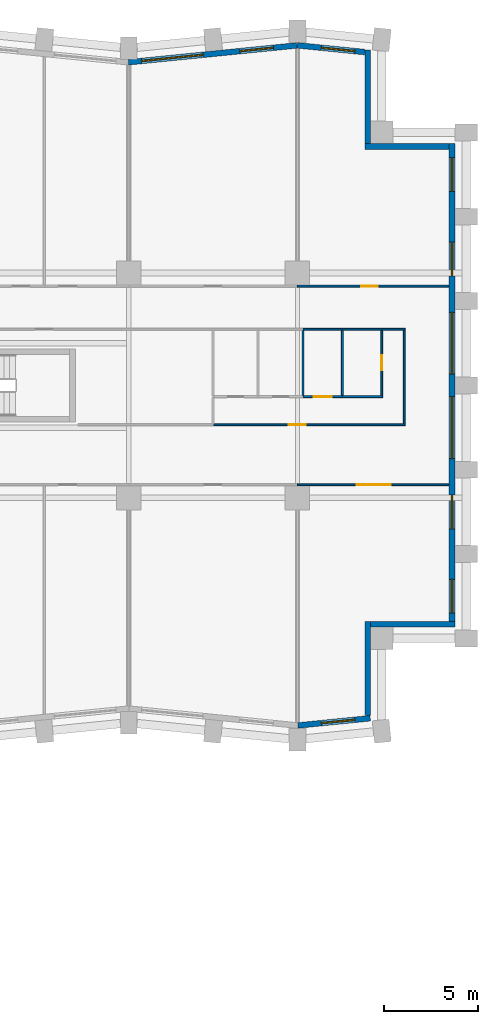
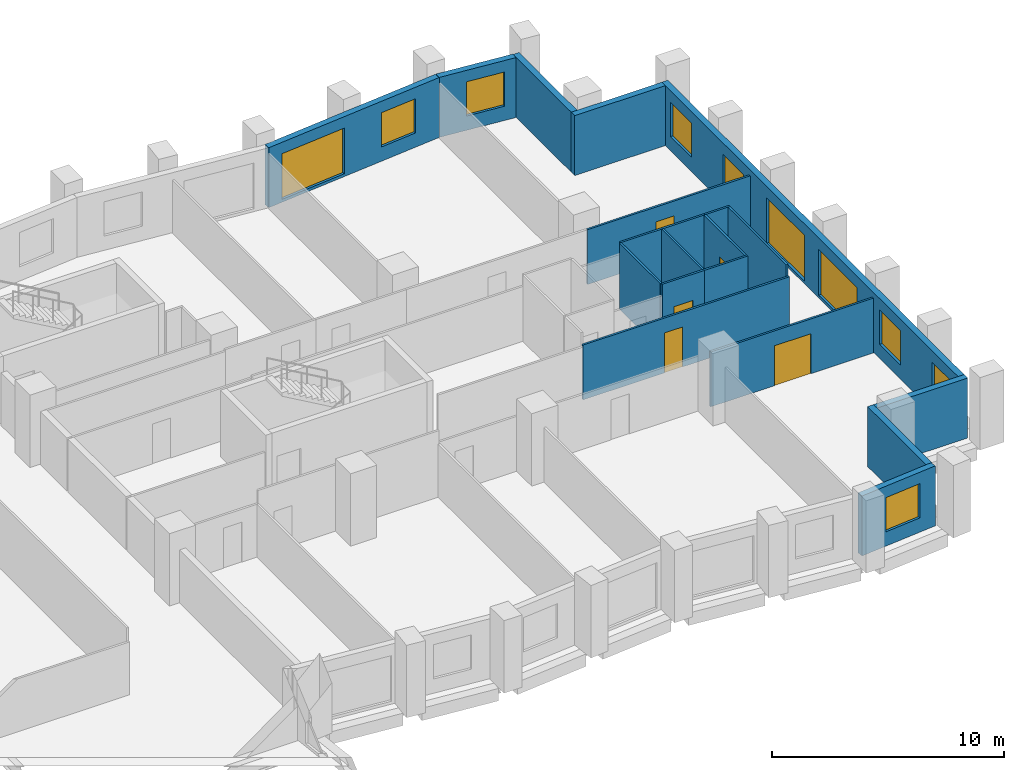
# One storey, part 8 of 11: 20 walls, 10 windows, 5 doors, 15 openings.
"""IFC4 building model written with IfcOpenShell, lengths in metres."""

from ifc_helpers import new_model, si_unit, direction, frame, frame_2d, origin, place, context, subcontext, project, spatial, rectangle, extrude, material, layer, layer_set, type_object, element, fill, save


model = new_model("IFC4")

# Units and contexts
model_context = context("Model", 3, precision=1e-05, world=origin(), true_north=direction((0.0, 1.0)))
body_context = subcontext(model_context, "Body", "Model", "MODEL_VIEW")
ifc_project = project(units=[si_unit("LENGTHUNIT", "METRE"), si_unit("AREAUNIT", "SQUARE_METRE"), si_unit("VOLUMEUNIT", "CUBIC_METRE"), si_unit("PLANEANGLEUNIT", "RADIAN"), si_unit("MASSUNIT", "GRAM", prefix="KILO")], contexts=[model_context])

# Site, building, storey
site_placement = place(None, origin())
site = spatial("IfcSite", under=ifc_project, at=site_placement, CompositionType="ELEMENT")
building_placement = place(site_placement, origin())
building = spatial("IfcBuilding", under=site, at=building_placement, Name="Brondeck Convention Tower", CompositionType="ELEMENT")
storey_placement = place(building_placement, frame((0.0, 0.0, 126.5)))
storey = spatial("IfcBuildingStorey", under=building, at=storey_placement, Name="L30", CompositionType="ELEMENT", Elevation=126.5)

# Wall, opening, window
ifc_material_1 = material(Name="Precast concrete C50/60 bronze finish", Category="concrete")
ifc_layer_1 = layer(ifc_material_1, 0.070068359375, Name="Bronze precast facing")
ifc_material_2 = material(Name="Mineral wool")
ifc_layer_2 = layer(ifc_material_2, 0.159912109375, Name="Insulation")
ifc_material_3 = material(Name="Concrete C35/45", Category="concrete")
ifc_layer_3 = layer(ifc_material_3, 0.070068359375, Name="Backing")
ifc_layer_set_1 = layer_set([ifc_layer_1, ifc_layer_2, ifc_layer_3], Name="External infill wall, precast concrete C50/60 bronze facing")
wall_type_1 = type_object("IfcWallType", Name="External infill wall, precast concrete C50/60 bronze facing", PredefinedType="SOLIDWALL", material=ifc_layer_set_1)
wall_1_placement = place(storey_placement, frame((66.885009765625, 27.2421875, 0.0), z_axis=(0.0, 0.0, 1.0), x_axis=(-0.995037814081, -0.099497480111, 0.0)))
wall_1 = element("IfcWall", 1, at=wall_1_placement, inside=storey, type_object=wall_type_1, Name="ENV-EW-L30-P0-A-S-06", PredefinedType="SOLIDWALL", context=body_context, shape_type="SweptSolid", body=[
    extrude(rectangle(XDim=3.87451171875, YDim=0.300048828125, at=frame_2d((1.937255859375, 0.0))), origin(), (0.0, 0.0, 1.0), 3.14990234375),
])
opening_1_placement = place(wall_1_placement, frame((0.818359375, 0.0, 0.75)))
opening_1 = element("IfcOpeningElement", 2, at=opening_1_placement, cuts=wall_1, Name="Opening W10", PredefinedType="OPENING", context=body_context, shape_type="SweptSolid", body=[
    extrude(rectangle(XDim=1.800048828125, YDim=1.800048828125, at=frame_2d((0.89990234375, 0.89990234375))), frame((0.0, 0.159912109375, 0.0), z_axis=(0.0, -1.0, 0.0), x_axis=(1.0, 0.0, 0.0)), (0.0, 0.0, 1.0), 0.320068359375),
])
ifc_material_4 = material(Name="Bronze tinted double glazing", Category="glass")
window_type_1 = type_object("IfcWindowType", Name="Punched window, bronze tinted", PartitioningType="SINGLE_PANEL", PredefinedType="WINDOW", material=ifc_material_4)
window_1_placement = place(opening_1_placement, origin())
window_1 = element("IfcWindow", 3, at=window_1_placement, inside=storey, type_object=window_type_1, Name="ENV-WN-L30-P0-A-S-06", OverallHeight=1.800048828125, OverallWidth=1.800048828125, PartitioningType="SINGLE_PANEL", PredefinedType="WINDOW", context=body_context, shape_type="SweptSolid", body=[
    extrude(rectangle(XDim=1.800048828125, YDim=1.800048828125, at=frame_2d((0.89990234375, 0.89990234375))), frame((0.0, 0.030029296875, 0.0), z_axis=(0.0, -1.0, 0.0), x_axis=(1.0, 0.0, 0.0)), (0.0, 0.0, 1.0), 0.06005859375),
])
fill(opening_1, window_1)

# Walls
wall_2_placement = place(storey_placement, frame((66.75, 32.39990234375, 0.0), z_axis=(0.0, 0.0, 1.0), x_axis=(0.0, -1.0, 0.0)))
element("IfcWall", 4, at=wall_2_placement, inside=storey, type_object=wall_type_1, Name="ENV-EW-L30-P0-NC-SEA72-01", PredefinedType="SOLIDWALL", context=body_context, shape_type="SweptSolid", body=[
    extrude(rectangle(XDim=5.019287109375, YDim=0.300048828125, at=frame_2d((2.509765625, 0.0))), origin(), (0.0, 0.0, 1.0), 3.14990234375),
])
wall_3_placement = place(storey_placement, frame((71.39990234375, 32.25, 0.0), z_axis=(0.0, 0.0, 1.0), x_axis=(-1.0, 0.0, 0.0)))
element("IfcWall", 5, at=wall_3_placement, inside=storey, type_object=wall_type_1, Name="ENV-EW-L30-P0-NC-SEA72-02", PredefinedType="SOLIDWALL", context=body_context, shape_type="SweptSolid", body=[
    extrude(rectangle(XDim=4.5, YDim=0.300048828125, at=frame_2d((2.25, 0.0))), origin(), (0.0, 0.0, 1.0), 3.14990234375),
])

# Wall, openings, windows
wall_4_placement = place(storey_placement, frame((71.25, 57.89990234375, 0.0), z_axis=(0.0, 0.0, 1.0), x_axis=(0.0, -1.0, 0.0)))
wall_4 = element("IfcWall", 6, at=wall_4_placement, inside=storey, type_object=wall_type_1, Name="ENV-EW-L30-P0-A-E72-01", PredefinedType="SOLIDWALL", context=body_context, shape_type="SweptSolid", body=[
    extrude(rectangle(XDim=25.501953125, YDim=0.300048828125, at=frame_2d((12.7509765625, 0.0))), origin(), (0.0, 0.0, 1.0), 3.14990234375),
])
opening_2_placement = place(wall_4_placement, frame((0.75, 0.0, 0.75)))
opening_2 = element("IfcOpeningElement", 7, at=opening_2_placement, cuts=wall_4, Name="Opening W10", PredefinedType="OPENING", context=body_context, shape_type="SweptSolid", body=[
    extrude(rectangle(XDim=1.800048828125, YDim=1.800048828125, at=frame_2d((0.89990234375, 0.89990234375))), frame((0.0, 0.159912109375, 0.0), z_axis=(0.0, -1.0, 0.0), x_axis=(1.0, 0.0, 0.0)), (0.0, 0.0, 1.0), 0.320068359375),
])
opening_3_placement = place(wall_4_placement, frame((5.25, 0.0, 0.75)))
opening_3 = element("IfcOpeningElement", 8, at=opening_3_placement, cuts=wall_4, Name="Opening W10", PredefinedType="OPENING", context=body_context, shape_type="SweptSolid", body=[
    extrude(rectangle(XDim=1.800048828125, YDim=1.800048828125, at=frame_2d((0.89990234375, 0.89990234375))), frame((0.0, 0.159912109375, 0.0), z_axis=(0.0, -1.0, 0.0), x_axis=(1.0, 0.0, 0.0)), (0.0, 0.0, 1.0), 0.320068359375),
])
opening_4_placement = place(wall_4_placement, frame((9.0, 0.0, 0.14990234375)))
opening_4 = element("IfcOpeningElement", 9, at=opening_4_placement, cuts=wall_4, Name="Opening W9", PredefinedType="OPENING", context=body_context, shape_type="SweptSolid", body=[
    extrude(rectangle(XDim=3.300048828125, YDim=2.39990234375, at=frame_2d((1.64990234375, 1.199951171875))), frame((0.0, 0.159912109375, 0.0), z_axis=(0.0, -1.0, 0.0), x_axis=(1.0, 0.0, 0.0)), (0.0, 0.0, 1.0), 0.320068359375),
])
opening_5_placement = place(wall_4_placement, frame((13.5, 0.0, 0.14990234375)))
opening_5 = element("IfcOpeningElement", 10, at=opening_5_placement, cuts=wall_4, Name="Opening W9", PredefinedType="OPENING", context=body_context, shape_type="SweptSolid", body=[
    extrude(rectangle(XDim=3.300048828125, YDim=2.39990234375, at=frame_2d((1.64990234375, 1.199951171875))), frame((0.0, 0.159912109375, 0.0), z_axis=(0.0, -1.0, 0.0), x_axis=(1.0, 0.0, 0.0)), (0.0, 0.0, 1.0), 0.320068359375),
])
opening_6_placement = place(wall_4_placement, frame((18.75, 0.0, 0.75)))
opening_6 = element("IfcOpeningElement", 11, at=opening_6_placement, cuts=wall_4, Name="Opening W10", PredefinedType="OPENING", context=body_context, shape_type="SweptSolid", body=[
    extrude(rectangle(XDim=1.800048828125, YDim=1.800048828125, at=frame_2d((0.89990234375, 0.89990234375))), frame((0.0, 0.159912109375, 0.0), z_axis=(0.0, -1.0, 0.0), x_axis=(1.0, 0.0, 0.0)), (0.0, 0.0, 1.0), 0.320068359375),
])
opening_7_placement = place(wall_4_placement, frame((23.25, 0.0, 0.75)))
opening_7 = element("IfcOpeningElement", 12, at=opening_7_placement, cuts=wall_4, Name="Opening W10", PredefinedType="OPENING", context=body_context, shape_type="SweptSolid", body=[
    extrude(rectangle(XDim=1.800048828125, YDim=1.800048828125, at=frame_2d((0.89990234375, 0.89990234375))), frame((0.0, 0.159912109375, 0.0), z_axis=(0.0, -1.0, 0.0), x_axis=(1.0, 0.0, 0.0)), (0.0, 0.0, 1.0), 0.320068359375),
])
window_type_2 = type_object("IfcWindowType", Name="Glazed flute window, bronze tinted", PartitioningType="SINGLE_PANEL", PredefinedType="WINDOW", material=ifc_material_4)
window_2_placement = place(opening_4_placement, origin())
window_2 = element("IfcWindow", 13, at=window_2_placement, inside=storey, type_object=window_type_2, Name="ENV-WN-L30-P0-A-E72-04", OverallHeight=2.39990234375, OverallWidth=3.300048828125, PartitioningType="SINGLE_PANEL", PredefinedType="WINDOW", context=body_context, shape_type="SweptSolid", body=[
    extrude(rectangle(XDim=3.300048828125, YDim=2.39990234375, at=frame_2d((1.64990234375, 1.199951171875))), frame((0.0, 0.030029296875, 0.0), z_axis=(0.0, -1.0, 0.0), x_axis=(1.0, 0.0, 0.0)), (0.0, 0.0, 1.0), 0.06005859375),
])
fill(opening_4, window_2)
window_3_placement = place(opening_5_placement, origin())
window_3 = element("IfcWindow", 14, at=window_3_placement, inside=storey, type_object=window_type_2, Name="ENV-WN-L30-P0-A-E72-03", OverallHeight=2.39990234375, OverallWidth=3.300048828125, PartitioningType="SINGLE_PANEL", PredefinedType="WINDOW", context=body_context, shape_type="SweptSolid", body=[
    extrude(rectangle(XDim=3.300048828125, YDim=2.39990234375, at=frame_2d((1.64990234375, 1.199951171875))), frame((0.0, 0.030029296875, 0.0), z_axis=(0.0, -1.0, 0.0), x_axis=(1.0, 0.0, 0.0)), (0.0, 0.0, 1.0), 0.06005859375),
])
fill(opening_5, window_3)
window_4_placement = place(opening_2_placement, origin())
window_4 = element("IfcWindow", 15, at=window_4_placement, inside=storey, type_object=window_type_1, Name="ENV-WN-L30-P0-A-E72-06", OverallHeight=1.800048828125, OverallWidth=1.800048828125, PartitioningType="SINGLE_PANEL", PredefinedType="WINDOW", context=body_context, shape_type="SweptSolid", body=[
    extrude(rectangle(XDim=1.800048828125, YDim=1.800048828125, at=frame_2d((0.89990234375, 0.89990234375))), frame((0.0, 0.030029296875, 0.0), z_axis=(0.0, -1.0, 0.0), x_axis=(1.0, 0.0, 0.0)), (0.0, 0.0, 1.0), 0.06005859375),
])
fill(opening_2, window_4)
window_5_placement = place(opening_3_placement, origin())
window_5 = element("IfcWindow", 16, at=window_5_placement, inside=storey, type_object=window_type_1, Name="ENV-WN-L30-P0-A-E72-05", OverallHeight=1.800048828125, OverallWidth=1.800048828125, PartitioningType="SINGLE_PANEL", PredefinedType="WINDOW", context=body_context, shape_type="SweptSolid", body=[
    extrude(rectangle(XDim=1.800048828125, YDim=1.800048828125, at=frame_2d((0.89990234375, 0.89990234375))), frame((0.0, 0.030029296875, 0.0), z_axis=(0.0, -1.0, 0.0), x_axis=(1.0, 0.0, 0.0)), (0.0, 0.0, 1.0), 0.06005859375),
])
fill(opening_3, window_5)
window_6_placement = place(opening_6_placement, origin())
window_6 = element("IfcWindow", 17, at=window_6_placement, inside=storey, type_object=window_type_1, Name="ENV-WN-L30-P0-A-E72-02", OverallHeight=1.800048828125, OverallWidth=1.800048828125, PartitioningType="SINGLE_PANEL", PredefinedType="WINDOW", context=body_context, shape_type="SweptSolid", body=[
    extrude(rectangle(XDim=1.800048828125, YDim=1.800048828125, at=frame_2d((0.89990234375, 0.89990234375))), frame((0.0, 0.030029296875, 0.0), z_axis=(0.0, -1.0, 0.0), x_axis=(1.0, 0.0, 0.0)), (0.0, 0.0, 1.0), 0.06005859375),
])
fill(opening_6, window_6)
window_7_placement = place(opening_7_placement, origin())
window_7 = element("IfcWindow", 18, at=window_7_placement, inside=storey, type_object=window_type_1, Name="ENV-WN-L30-P0-A-E72-01", OverallHeight=1.800048828125, OverallWidth=1.800048828125, PartitioningType="SINGLE_PANEL", PredefinedType="WINDOW", context=body_context, shape_type="SweptSolid", body=[
    extrude(rectangle(XDim=1.800048828125, YDim=1.800048828125, at=frame_2d((0.89990234375, 0.89990234375))), frame((0.0, 0.030029296875, 0.0), z_axis=(0.0, -1.0, 0.0), x_axis=(1.0, 0.0, 0.0)), (0.0, 0.0, 1.0), 0.06005859375),
])
fill(opening_7, window_7)

# Walls
wall_5_placement = place(storey_placement, frame((66.60009765625, 57.75, 0.0), z_axis=(0.0, 0.0, 1.0), x_axis=(1.0, 0.0, 0.0)))
element("IfcWall", 19, at=wall_5_placement, inside=storey, type_object=wall_type_1, Name="ENV-EW-L30-P0-NC-NEA72-01", PredefinedType="SOLIDWALL", context=body_context, shape_type="SweptSolid", body=[
    extrude(rectangle(XDim=4.5, YDim=0.300048828125, at=frame_2d((2.25, 0.0))), origin(), (0.0, 0.0, 1.0), 3.14990234375),
])
wall_6_placement = place(storey_placement, frame((66.75, 62.906982421875, 0.0), z_axis=(0.0, 0.0, 1.0), x_axis=(0.0, -1.0, 0.0)))
element("IfcWall", 20, at=wall_6_placement, inside=storey, type_object=wall_type_1, Name="ENV-EW-L30-P0-NC-NEA72-02", PredefinedType="SOLIDWALL", context=body_context, shape_type="SweptSolid", body=[
    extrude(rectangle(XDim=5.009033203125, YDim=0.300048828125, at=frame_2d((2.50439453125, 0.0))), origin(), (0.0, 0.0, 1.0), 3.14990234375),
])

# Wall, opening, window
wall_7_placement = place(storey_placement, frame((62.985107421875, 63.147705078125, 0.0), z_axis=(0.0, 0.0, 1.0), x_axis=(0.995038521274, -0.099490407478, 0.0)))
wall_7 = element("IfcWall", 21, at=wall_7_placement, inside=storey, type_object=wall_type_1, Name="ENV-EW-L30-P0-A-N-14", PredefinedType="SOLIDWALL", context=body_context, shape_type="SweptSolid", body=[
    extrude(rectangle(XDim=3.6318359375, YDim=0.300048828125, at=frame_2d((1.81591796875, 0.0))), origin(), (0.0, 0.0, 1.0), 3.14990234375),
])
opening_8_placement = place(wall_7_placement, frame((1.30126953125, 0.0, 0.75)))
opening_8 = element("IfcOpeningElement", 22, at=opening_8_placement, cuts=wall_7, Name="Opening W10", PredefinedType="OPENING", context=body_context, shape_type="SweptSolid", body=[
    extrude(rectangle(XDim=1.800048828125, YDim=1.800048828125, at=frame_2d((0.89990234375, 0.89990234375))), frame((0.0, 0.159912109375, 0.0), z_axis=(0.0, -1.0, 0.0), x_axis=(1.0, 0.0, 0.0)), (0.0, 0.0, 1.0), 0.320068359375),
])
window_8_placement = place(opening_8_placement, origin())
window_8 = element("IfcWindow", 23, at=window_8_placement, inside=storey, type_object=window_type_1, Name="ENV-WN-L30-P0-A-N-14", OverallHeight=1.800048828125, OverallWidth=1.800048828125, PartitioningType="SINGLE_PANEL", PredefinedType="WINDOW", context=body_context, shape_type="SweptSolid", body=[
    extrude(rectangle(XDim=1.800048828125, YDim=1.800048828125, at=frame_2d((0.89990234375, 0.89990234375))), frame((0.0, 0.030029296875, 0.0), z_axis=(0.0, -1.0, 0.0), x_axis=(1.0, 0.0, 0.0)), (0.0, 0.0, 1.0), 0.06005859375),
])
fill(opening_8, window_8)

# Wall, openings, windows
wall_8_placement = place(storey_placement, frame((53.985107421875, 62.244873046875, 0.0), z_axis=(0.0, 0.0, 1.0), x_axis=(0.995037993253, 0.099495688264, 0.0)))
wall_8 = element("IfcWall", 24, at=wall_8_placement, inside=storey, type_object=wall_type_1, Name="ENV-EW-L30-P0-A-N-13", PredefinedType="SOLIDWALL", context=body_context, shape_type="SweptSolid", body=[
    extrude(rectangle(XDim=9.030029296875, YDim=0.300048828125, at=frame_2d((4.51513671875, 0.0))), origin(), (0.0, 0.0, 1.0), 3.14990234375),
])
opening_9_placement = place(wall_8_placement, frame((0.701171875, 0.0, 0.14990234375)))
opening_9 = element("IfcOpeningElement", 25, at=opening_9_placement, cuts=wall_8, Name="Opening W9", PredefinedType="OPENING", context=body_context, shape_type="SweptSolid", body=[
    extrude(rectangle(XDim=3.300048828125, YDim=2.39990234375, at=frame_2d((1.64990234375, 1.199951171875))), frame((0.0, 0.159912109375, 0.0), z_axis=(0.0, -1.0, 0.0), x_axis=(1.0, 0.0, 0.0)), (0.0, 0.0, 1.0), 0.320068359375),
])
opening_10_placement = place(wall_8_placement, frame((5.9736328125, 0.0, 0.75)))
opening_10 = element("IfcOpeningElement", 26, at=opening_10_placement, cuts=wall_8, Name="Opening W10", PredefinedType="OPENING", context=body_context, shape_type="SweptSolid", body=[
    extrude(rectangle(XDim=1.800048828125, YDim=1.800048828125, at=frame_2d((0.89990234375, 0.89990234375))), frame((0.0, 0.159912109375, 0.0), z_axis=(0.0, -1.0, 0.0), x_axis=(1.0, 0.0, 0.0)), (0.0, 0.0, 1.0), 0.320068359375),
])
window_9_placement = place(opening_9_placement, origin())
window_9 = element("IfcWindow", 27, at=window_9_placement, inside=storey, type_object=window_type_2, Name="ENV-WN-L30-P0-A-N-12", OverallHeight=2.39990234375, OverallWidth=3.300048828125, PartitioningType="SINGLE_PANEL", PredefinedType="WINDOW", context=body_context, shape_type="SweptSolid", body=[
    extrude(rectangle(XDim=3.300048828125, YDim=2.39990234375, at=frame_2d((1.64990234375, 1.199951171875))), frame((0.0, 0.030029296875, 0.0), z_axis=(0.0, -1.0, 0.0), x_axis=(1.0, 0.0, 0.0)), (0.0, 0.0, 1.0), 0.06005859375),
])
fill(opening_9, window_9)
window_10_placement = place(opening_10_placement, origin())
window_10 = element("IfcWindow", 28, at=window_10_placement, inside=storey, type_object=window_type_1, Name="ENV-WN-L30-P0-A-N-13", OverallHeight=1.800048828125, OverallWidth=1.800048828125, PartitioningType="SINGLE_PANEL", PredefinedType="WINDOW", context=body_context, shape_type="SweptSolid", body=[
    extrude(rectangle(XDim=1.800048828125, YDim=1.800048828125, at=frame_2d((0.89990234375, 0.89990234375))), frame((0.0, 0.030029296875, 0.0), z_axis=(0.0, -1.0, 0.0), x_axis=(1.0, 0.0, 0.0)), (0.0, 0.0, 1.0), 0.06005859375),
])
fill(opening_10, window_10)

# Wall, opening, door
ifc_material_5 = material(Name="Gypsum board partition on steel studs", Category="steel")
ifc_layer_4 = layer(ifc_material_5, 0.10009765625)
ifc_layer_set_2 = layer_set([ifc_layer_4], Name="Room partition 100")
wall_type_2 = type_object("IfcWallType", Name="Room partition 100", PredefinedType="PARTITIONING", material=ifc_layer_set_2)
wall_9_placement = place(storey_placement, frame((71.080078125, 39.699951171875, 0.0), z_axis=(0.0, 0.0, 1.0), x_axis=(-1.0, 0.0, 0.0)))
wall_9 = element("IfcWall", 29, at=wall_9_placement, inside=storey, type_object=wall_type_2, Name="FLR-L30-W039", PredefinedType="PARTITIONING", context=body_context, shape_type="SweptSolid", body=[
    extrude(rectangle(XDim=8.080078125, YDim=0.10009765625, at=frame_2d((4.0400390625, 0.0))), origin(), (0.0, 0.0, 1.0), 2.8798828125),
])
opening_11_placement = place(wall_9_placement, frame((3.10595703125, 0.0, 0.0)))
opening_11 = element("IfcOpeningElement", 30, at=opening_11_placement, cuts=wall_9, Name="Opening OF-D-013", PredefinedType="OPENING", context=body_context, shape_type="SweptSolid", body=[
    extrude(rectangle(XDim=1.800048828125, YDim=2.10009765625, at=frame_2d((0.89990234375, 1.050048828125))), frame((0.0, 0.06005859375, 0.0), z_axis=(0.0, -1.0, 0.0), x_axis=(1.0, 0.0, 0.0)), (0.0, 0.0, 1.0), 0.1201171875),
])
ifc_material_6 = material(Name="Glazed timber double door", Category="wood")
door_type_1 = type_object("IfcDoorType", Name="Double door 1800", OperationType="DOUBLE_DOOR_SINGLE_SWING", PredefinedType="DOOR", material=ifc_material_6)
door_1_placement = place(opening_11_placement, origin())
door_1 = element("IfcDoor", 31, at=door_1_placement, inside=storey, type_object=door_type_1, Name="Door OF-D-013", OperationType="DOUBLE_DOOR_SINGLE_SWING", OverallHeight=2.10009765625, OverallWidth=1.800048828125, PredefinedType="DOOR", context=body_context, shape_type="SweptSolid", body=[
    extrude(rectangle(XDim=1.800048828125, YDim=2.10009765625, at=frame_2d((0.89990234375, 1.050048828125))), frame((0.0, 0.02490234375, 0.0), z_axis=(0.0, -1.0, 0.0), x_axis=(1.0, 0.0, 0.0)), (0.0, 0.0, 1.0), 0.050048828125),
])
fill(opening_11, door_1)

wall_10_placement = place(storey_placement, frame((58.5, 42.89990234375, 0.0), z_axis=(0.0, 0.0, 1.0), x_axis=(1.0, 0.0, 0.0)))
wall_10 = element("IfcWall", 32, at=wall_10_placement, inside=storey, type_object=wall_type_2, Name="FLR-L30-W043", PredefinedType="PARTITIONING", context=body_context, shape_type="SweptSolid", body=[
    extrude(rectangle(XDim=10.25, YDim=0.10009765625, at=frame_2d((5.125, 0.0))), origin(), (0.0, 0.0, 1.0), 2.8798828125),
])
opening_12_placement = place(wall_10_placement, frame((4.050048828125, 0.0, 0.0)))
opening_12 = element("IfcOpeningElement", 33, at=opening_12_placement, cuts=wall_10, Name="Opening OF-D-004", PredefinedType="OPENING", context=body_context, shape_type="SweptSolid", body=[
    extrude(rectangle(XDim=0.89990234375, YDim=2.10009765625, at=frame_2d((0.449951171875, 1.050048828125))), frame((0.0, 0.06005859375, 0.0), z_axis=(0.0, -1.0, 0.0), x_axis=(1.0, 0.0, 0.0)), (0.0, 0.0, 1.0), 0.1201171875),
])
ifc_material_7 = material(Name="Solid timber door leaf", Category="wood")
door_type_2 = type_object("IfcDoorType", Name="Single door 900", OperationType="NOTDEFINED", PredefinedType="DOOR", material=ifc_material_7)
door_2_placement = place(opening_12_placement, origin())
door_2 = element("IfcDoor", 34, at=door_2_placement, inside=storey, type_object=door_type_2, Name="Door OF-D-004", OperationType="SINGLE_SWING_LEFT", OverallHeight=2.10009765625, OverallWidth=0.89990234375, PredefinedType="DOOR", context=body_context, shape_type="SweptSolid", body=[
    extrude(rectangle(XDim=0.89990234375, YDim=2.10009765625, at=frame_2d((0.449951171875, 1.050048828125))), frame((0.0, 0.02490234375, 0.0), z_axis=(0.0, -1.0, 0.0), x_axis=(1.0, 0.0, 0.0)), (0.0, 0.0, 1.0), 0.050048828125),
])
fill(opening_12, door_2)

# Wall
wall_11_placement = place(storey_placement, frame((68.699951171875, 42.949951171875, 0.0), z_axis=(0.0, 0.0, 1.0), x_axis=(0.0, 1.0, 0.0)))
element("IfcWall", 35, at=wall_11_placement, inside=storey, type_object=wall_type_2, Name="FLR-L30-W045", PredefinedType="PARTITIONING", context=body_context, shape_type="SweptSolid", body=[
    extrude(rectangle(XDim=5.0, YDim=0.10009765625, at=frame_2d((2.5, 0.0))), origin(), (0.0, 0.0, 1.0), 3.47998046875),
])

# Wall, opening, door
wall_12_placement = place(storey_placement, frame((63.300048828125, 44.39990234375, 0.0), z_axis=(0.0, 0.0, 1.0), x_axis=(1.0, 0.0, 0.0)))
wall_12 = element("IfcWall", 36, at=wall_12_placement, inside=storey, type_object=wall_type_2, Name="FLR-L30-W049", PredefinedType="PARTITIONING", context=body_context, shape_type="SweptSolid", body=[
    extrude(rectangle(XDim=2.099853515625, YDim=0.10009765625, at=frame_2d((1.0498046875, 0.0))), origin(), (0.0, 0.0, 1.0), 3.47998046875),
])
opening_13_placement = place(wall_12_placement, frame((0.574951171875, 0.0, 0.0)))
opening_13 = element("IfcOpeningElement", 37, at=opening_13_placement, cuts=wall_12, Name="Opening OF-D-007", PredefinedType="OPENING", context=body_context, shape_type="SweptSolid", body=[
    extrude(rectangle(XDim=0.949951171875, YDim=2.10009765625, at=frame_2d((0.47509765625, 1.050048828125))), frame((0.0, 0.06005859375, 0.0), z_axis=(0.0, -1.0, 0.0), x_axis=(1.0, 0.0, 0.0)), (0.0, 0.0, 1.0), 0.1201171875),
])
door_type_3 = type_object("IfcDoorType", Name="Accessible door 950", OperationType="NOTDEFINED", PredefinedType="DOOR", material=ifc_material_7)
door_3_placement = place(opening_13_placement, origin())
door_3 = element("IfcDoor", 38, at=door_3_placement, inside=storey, type_object=door_type_3, Name="Door OF-D-007", OperationType="SINGLE_SWING_LEFT", OverallHeight=2.10009765625, OverallWidth=0.949951171875, PredefinedType="DOOR", context=body_context, shape_type="SweptSolid", body=[
    extrude(rectangle(XDim=0.949951171875, YDim=2.10009765625, at=frame_2d((0.47509765625, 1.050048828125))), frame((0.0, 0.02490234375, 0.0), z_axis=(0.0, -1.0, 0.0), x_axis=(1.0, 0.0, 0.0)), (0.0, 0.0, 1.0), 0.050048828125),
])
fill(opening_13, door_3)

# Wall
wall_13_placement = place(storey_placement, frame((65.39990234375, 44.39990234375, 0.0), z_axis=(0.0, 0.0, 1.0), x_axis=(1.0, 0.0, 0.0)))
element("IfcWall", 39, at=wall_13_placement, inside=storey, type_object=wall_type_2, Name="FLR-L30-W050", PredefinedType="PARTITIONING", context=body_context, shape_type="SweptSolid", body=[
    extrude(rectangle(XDim=2.150146484375, YDim=0.10009765625, at=frame_2d((1.0751953125, 0.0))), origin(), (0.0, 0.0, 1.0), 3.47998046875),
])

# Wall, opening, door
wall_14_placement = place(storey_placement, frame((67.5, 44.449951171875, 0.0), z_axis=(0.0, 0.0, 1.0), x_axis=(0.0, 1.0, 0.0)))
wall_14 = element("IfcWall", 40, at=wall_14_placement, inside=storey, type_object=wall_type_2, Name="FLR-L30-W051", PredefinedType="PARTITIONING", context=body_context, shape_type="SweptSolid", body=[
    extrude(rectangle(XDim=3.5, YDim=0.10009765625, at=frame_2d((1.75, 0.0))), origin(), (0.0, 0.0, 1.0), 3.47998046875),
])
opening_14_placement = place(wall_14_placement, frame((1.35009765625, 0.0, 0.0)))
opening_14 = element("IfcOpeningElement", 41, at=opening_14_placement, cuts=wall_14, Name="Opening OF-D-008", PredefinedType="OPENING", context=body_context, shape_type="SweptSolid", body=[
    extrude(rectangle(XDim=0.800048828125, YDim=2.10009765625, at=frame_2d((0.39990234375, 1.050048828125))), frame((0.0, 0.06005859375, 0.0), z_axis=(0.0, -1.0, 0.0), x_axis=(1.0, 0.0, 0.0)), (0.0, 0.0, 1.0), 0.1201171875),
])
ifc_material_8 = material(Name="Steel service door leaf", Category="steel")
door_type_4 = type_object("IfcDoorType", Name="Service door 800", OperationType="NOTDEFINED", PredefinedType="DOOR", material=ifc_material_8)
door_4_placement = place(opening_14_placement, origin())
door_4 = element("IfcDoor", 42, at=door_4_placement, inside=storey, type_object=door_type_4, Name="Door OF-D-008", OperationType="SINGLE_SWING_LEFT", OverallHeight=2.10009765625, OverallWidth=0.800048828125, PredefinedType="DOOR", context=body_context, shape_type="SweptSolid", body=[
    extrude(rectangle(XDim=0.800048828125, YDim=2.10009765625, at=frame_2d((0.39990234375, 1.050048828125))), frame((0.0, 0.02490234375, 0.0), z_axis=(0.0, -1.0, 0.0), x_axis=(1.0, 0.0, 0.0)), (0.0, 0.0, 1.0), 0.050048828125),
])
fill(opening_14, door_4)

# Walls
for number, where, z_axis, x_axis, name in (
    (43, (63.300048828125, 47.949951171875, 0.0), (0.0, 0.0, 1.0), (0.0, -1.0, 0.0), "FLR-L30-W055"),
    (44, (65.39990234375, 47.949951171875, 0.0), (0.0, 0.0, 1.0), (0.0, -1.0, 0.0), "FLR-L30-W056"),
):
    element("IfcWall", number, at=place(storey_placement, frame(where, z_axis=z_axis, x_axis=x_axis)), inside=storey, type_object=wall_type_2, Name=name, PredefinedType="PARTITIONING", context=body_context, shape_type="SweptSolid", body=[
        extrude(rectangle(XDim=3.5, YDim=0.10009765625, at=frame_2d((1.75, 0.0))), origin(), (0.0, 0.0, 1.0), 3.47998046875),
    ])
wall_15_placement = place(storey_placement, frame((65.39990234375, 48.0, 0.0), z_axis=(0.0, 0.0, 1.0), x_axis=(-1.0, 0.0, 0.0)))
element("IfcWall", 45, at=wall_15_placement, inside=storey, type_object=wall_type_2, Name="FLR-L30-W061", PredefinedType="PARTITIONING", context=body_context, shape_type="SweptSolid", body=[
    extrude(rectangle(XDim=2.099853515625, YDim=0.10009765625, at=frame_2d((1.0498046875, 0.0))), origin(), (0.0, 0.0, 1.0), 3.47998046875),
])
wall_16_placement = place(storey_placement, frame((67.5, 48.0, 0.0), z_axis=(0.0, 0.0, 1.0), x_axis=(-1.0, 0.0, 0.0)))
element("IfcWall", 46, at=wall_16_placement, inside=storey, type_object=wall_type_2, Name="FLR-L30-W062", PredefinedType="PARTITIONING", context=body_context, shape_type="SweptSolid", body=[
    extrude(rectangle(XDim=2.10009765625, YDim=0.10009765625, at=frame_2d((1.050048828125, 0.0))), origin(), (0.0, 0.0, 1.0), 3.47998046875),
])
wall_17_placement = place(storey_placement, frame((68.75, 48.0, 0.0), z_axis=(0.0, 0.0, 1.0), x_axis=(-1.0, 0.0, 0.0)))
element("IfcWall", 47, at=wall_17_placement, inside=storey, type_object=wall_type_2, Name="FLR-L30-W063", PredefinedType="PARTITIONING", context=body_context, shape_type="SweptSolid", body=[
    extrude(rectangle(XDim=1.25, YDim=0.10009765625, at=frame_2d((0.625, 0.0))), origin(), (0.0, 0.0, 1.0), 3.47998046875),
])

# Wall, opening, door
wall_18_placement = place(storey_placement, frame((63.0, 50.300048828125, 0.0), z_axis=(0.0, 0.0, 1.0), x_axis=(1.0, 0.0, 0.0)))
wall_18 = element("IfcWall", 48, at=wall_18_placement, inside=storey, type_object=wall_type_2, Name="FLR-L30-W069", PredefinedType="PARTITIONING", context=body_context, shape_type="SweptSolid", body=[
    extrude(rectangle(XDim=8.080078125, YDim=0.10009765625, at=frame_2d((4.0400390625, 0.0))), origin(), (0.0, 0.0, 1.0), 2.8798828125),
])
opening_15_placement = place(wall_18_placement, frame((3.39892578125, 0.0, 0.0)))
opening_15 = element("IfcOpeningElement", 49, at=opening_15_placement, cuts=wall_18, Name="Opening OF-D-017", PredefinedType="OPENING", context=body_context, shape_type="SweptSolid", body=[
    extrude(rectangle(XDim=0.89990234375, YDim=2.10009765625, at=frame_2d((0.449951171875, 1.050048828125))), frame((0.0, 0.06005859375, 0.0), z_axis=(0.0, -1.0, 0.0), x_axis=(1.0, 0.0, 0.0)), (0.0, 0.0, 1.0), 0.1201171875),
])
door_5_placement = place(opening_15_placement, origin())
door_5 = element("IfcDoor", 50, at=door_5_placement, inside=storey, type_object=door_type_2, Name="Door OF-D-017", OperationType="SINGLE_SWING_LEFT", OverallHeight=2.10009765625, OverallWidth=0.89990234375, PredefinedType="DOOR", context=body_context, shape_type="SweptSolid", body=[
    extrude(rectangle(XDim=0.89990234375, YDim=2.10009765625, at=frame_2d((0.449951171875, 1.050048828125))), frame((0.0, 0.02490234375, 0.0), z_axis=(0.0, -1.0, 0.0), x_axis=(1.0, 0.0, 0.0)), (0.0, 0.0, 1.0), 0.050048828125),
])
fill(opening_15, door_5)

save(model, "model.ifc")
